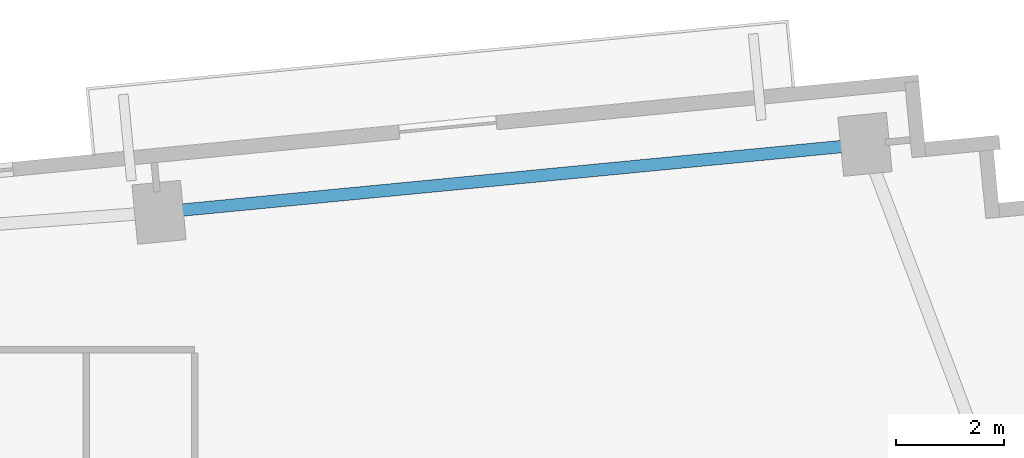
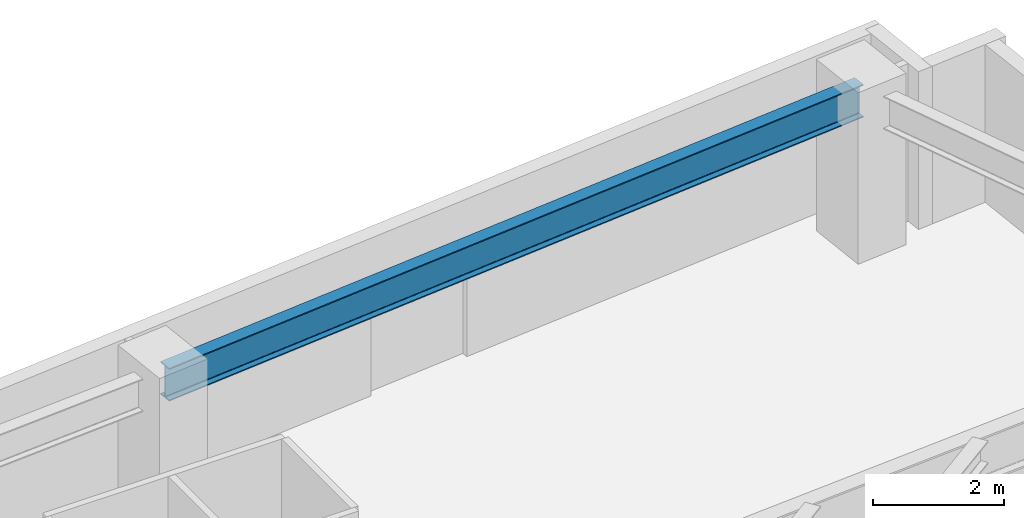
# One storey, part 18 of 27: 1 beam.
"""IFC4 building model written with IfcOpenShell, lengths in metres."""

from ifc_helpers import new_model, si_unit, direction, frame, origin, origin_2d, place, context, subcontext, project, spatial, i_section, extrude, source, transform, mapped, material, material_profile, profile_set, type_object, type_shapes, element, save


model = new_model("IFC4")

# Units and contexts
model_context = context("Model", 3, precision=1e-05, world=origin(), true_north=direction((0.0, 1.0)))
body_context = subcontext(model_context, "Body", "Model", "MODEL_VIEW")
ifc_project = project(units=[si_unit("LENGTHUNIT", "METRE"), si_unit("AREAUNIT", "SQUARE_METRE"), si_unit("VOLUMEUNIT", "CUBIC_METRE"), si_unit("PLANEANGLEUNIT", "RADIAN"), si_unit("MASSUNIT", "GRAM", prefix="KILO")], contexts=[model_context])

# Site, building, storey
site_placement = place(None, origin())
site = spatial("IfcSite", under=ifc_project, at=site_placement, CompositionType="ELEMENT")
building_placement = place(site_placement, origin())
building = spatial("IfcBuilding", under=site, at=building_placement, Name="Astriad Promenade Condominiums", CompositionType="ELEMENT")
storey_placement = place(building_placement, frame((0.0, 0.0, 113.0)))
storey = spatial("IfcBuildingStorey", under=building, at=storey_placement, Name="L32", CompositionType="ELEMENT", Elevation=113.0)

# Beam
ifc_material = material(Name="Steel ASTM A992 Grade 50", Category="steel")
ifc_material_profile = material_profile(ifc_material, i_section(OverallWidth=0.22900390625, OverallDepth=0.612060546875, WebThickness=0.011962890625, FlangeThickness=0.01953125, FilletRadius=0.017822265625, at=origin_2d()), Name="W24X84")
ifc_profile_set = profile_set([ifc_material_profile], Name="Steel ASTM A992 Grade 50")
beam_type = type_object("IfcBeamType", Name="STEEL SPANDREL BEAM W24X84", PredefinedType="SPANDREL", material=ifc_profile_set)
shared_shape = source(origin(), body_context, "Body", "SweptSolid", [
    extrude(i_section(OverallWidth=0.22900390625, OverallDepth=0.612060546875, WebThickness=0.011962890625, FlangeThickness=0.01953125, FilletRadius=0.017822265625, at=origin_2d()), origin(), (0.0, 0.0, 1.0), 13.020263671875),
])
type_shapes(beam_type, [shared_shape])
beam_placement = place(storey_placement, frame((64.394287109375, 27.5869140625, 2.6337890625), z_axis=(-0.995395311238, -0.095854965264, 0.0), x_axis=(0.095854965264, -0.995395311238, 0.0)))
element("IfcBeam", 1, at=beam_placement, inside=storey, type_object=beam_type, Name="Perimeter Spandrel Beam SP-N4-L32", PredefinedType="SPANDREL", context=body_context, shape_type="MappedRepresentation", body=[
    mapped(shared_shape, transform((0.0, 0.0, 0.0), scale=1.0)),
])

save(model, "model.ifc")
